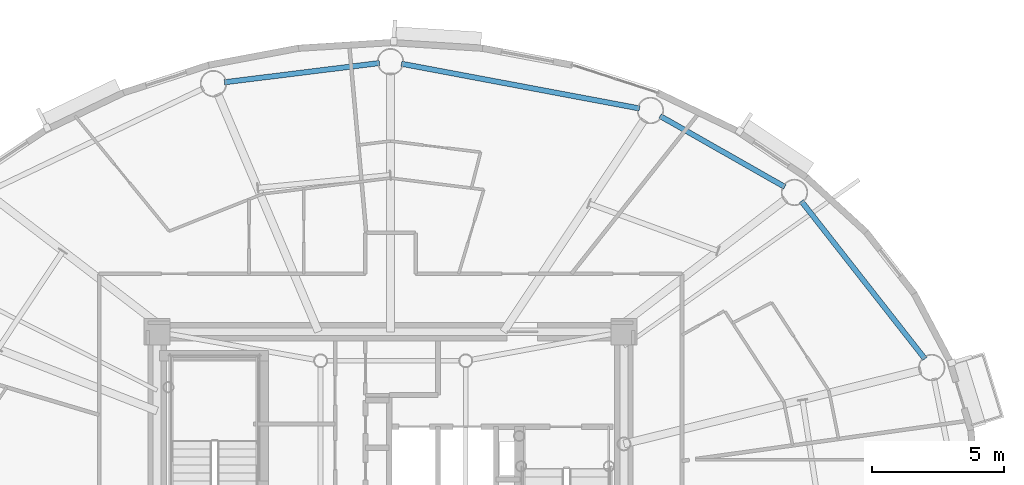
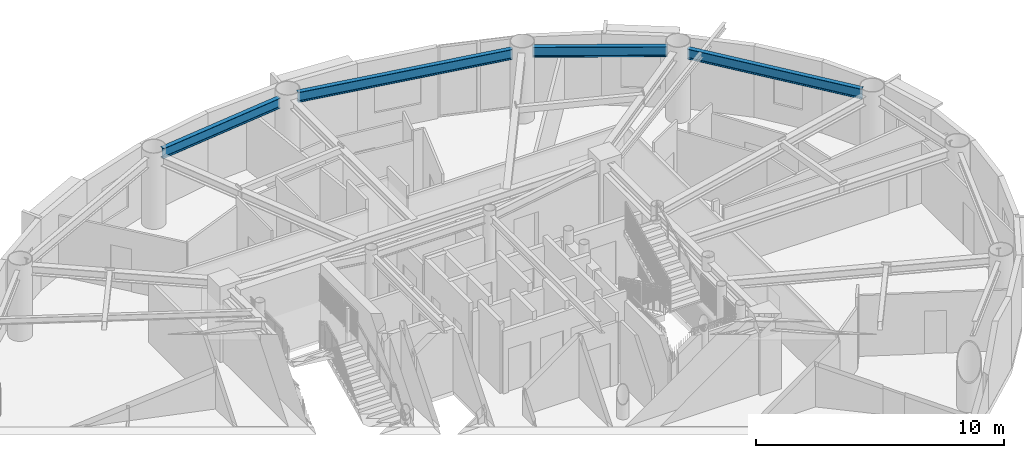
# One storey, part 3 of 18: 4 beams.
"""IFC4 building model written with IfcOpenShell, lengths in metres."""

from ifc_helpers import new_model, si_unit, direction, frame, origin, origin_2d, place, context, subcontext, project, spatial, i_section, extrude, material, material_profile, profile_set, type_object, element, save


model = new_model("IFC4")

# Units and contexts
model_context = context("Model", 3, precision=1e-05, world=origin(), true_north=direction((0.0, 1.0)))
body_context = subcontext(model_context, "Body", "Model", "MODEL_VIEW")
ifc_project = project(units=[si_unit("LENGTHUNIT", "METRE"), si_unit("AREAUNIT", "SQUARE_METRE"), si_unit("VOLUMEUNIT", "CUBIC_METRE"), si_unit("PLANEANGLEUNIT", "RADIAN"), si_unit("MASSUNIT", "GRAM", prefix="KILO")], contexts=[model_context])

# Site, building, storey
site_placement = place(None, origin())
site = spatial("IfcSite", under=ifc_project, at=site_placement, CompositionType="ELEMENT")
building_placement = place(site_placement, origin())
building = spatial("IfcBuilding", under=site, at=building_placement, Name="Linh Dai School and Residence Tower", CompositionType="ELEMENT")
storey_placement = place(building_placement, frame((0.0, 0.0, 273.0)))
storey = spatial("IfcBuildingStorey", under=building, at=storey_placement, Name="L67", CompositionType="ELEMENT", Elevation=273.0)

# Beams
ifc_material = material(Name="Structural Steel S355JR", Category="steel")
ifc_material_profile = material_profile(ifc_material, i_section(OverallWidth=0.199951171875, OverallDepth=0.5, WebThickness=0.01025390625, FlangeThickness=0.01611328125, FilletRadius=0.02099609375, at=origin_2d()), Name="IPE 500")
ifc_profile_set = profile_set([ifc_material_profile], Name="Structural Steel S355JR")
beam_type = type_object("IfcBeamType", Name="BM-RB50", PredefinedType="BEAM", material=ifc_profile_set)
beam_1_placement = place(storey_placement, frame((56.259521484375, 32.425048828125, 3.25), z_axis=(-0.616882739554, 0.787055071542, 0.0), x_axis=(-0.787055071542, -0.616882739554, 0.0)))
element("IfcBeam", 1, at=beam_1_placement, inside=storey, type_object=beam_type, Name="L67 Perimeter Elliptical Ring Beam 02", PredefinedType="BEAM", context=body_context, shape_type="SweptSolid", body=[
    extrude(i_section(OverallWidth=0.199951171875, OverallDepth=0.5, WebThickness=0.01025390625, FlangeThickness=0.01611328125, FilletRadius=0.02099609375, at=origin_2d()), origin(), (0.0, 0.0, 1.0), 7.59521484375),
])
beam_2_placement = place(storey_placement, frame((50.949951171875, 38.94091796875, 3.25), z_axis=(-0.869265548778, 0.494345431564, 0.0), x_axis=(-0.494345431564, -0.869265548778, 0.0)))
element("IfcBeam", 2, at=beam_2_placement, inside=storey, type_object=beam_type, Name="L67 Perimeter Elliptical Ring Beam 03", PredefinedType="BEAM", context=body_context, shape_type="SweptSolid", body=[
    extrude(i_section(OverallWidth=0.199951171875, OverallDepth=0.5, WebThickness=0.01025390625, FlangeThickness=0.01611328125, FilletRadius=0.02099609375, at=origin_2d()), origin(), (0.0, 0.0, 1.0), 5.44189453125),
])
beam_3_placement = place(storey_placement, frame((45.441650390625, 41.916259765625, 3.25), z_axis=(-0.982805333306, 0.184644731378, 0.0), x_axis=(-0.184644731378, -0.982805333306, 0.0)))
element("IfcBeam", 3, at=beam_3_placement, inside=storey, type_object=beam_type, Name="L67 Perimeter Elliptical Ring Beam 04", PredefinedType="BEAM", context=body_context, shape_type="SweptSolid", body=[
    extrude(i_section(OverallWidth=0.199951171875, OverallDepth=0.5, WebThickness=0.01025390625, FlangeThickness=0.01611328125, FilletRadius=0.02099609375, at=origin_2d()), origin(), (0.0, 0.0, 1.0), 9.186767578125),
])
beam_4_placement = place(storey_placement, frame((35.583251953125, 43.638427734375, 3.25), z_axis=(-0.992399134443, -0.123060789678, 0.0), x_axis=(0.123060789678, -0.992399134443, 0.0)))
element("IfcBeam", 4, at=beam_4_placement, inside=storey, type_object=beam_type, Name="L67 Perimeter Elliptical Ring Beam 05", PredefinedType="BEAM", context=body_context, shape_type="SweptSolid", body=[
    extrude(i_section(OverallWidth=0.199951171875, OverallDepth=0.5, WebThickness=0.01025390625, FlangeThickness=0.01611328125, FilletRadius=0.02099609375, at=origin_2d()), origin(), (0.0, 0.0, 1.0), 5.923828125),
])

save(model, "model.ifc")
